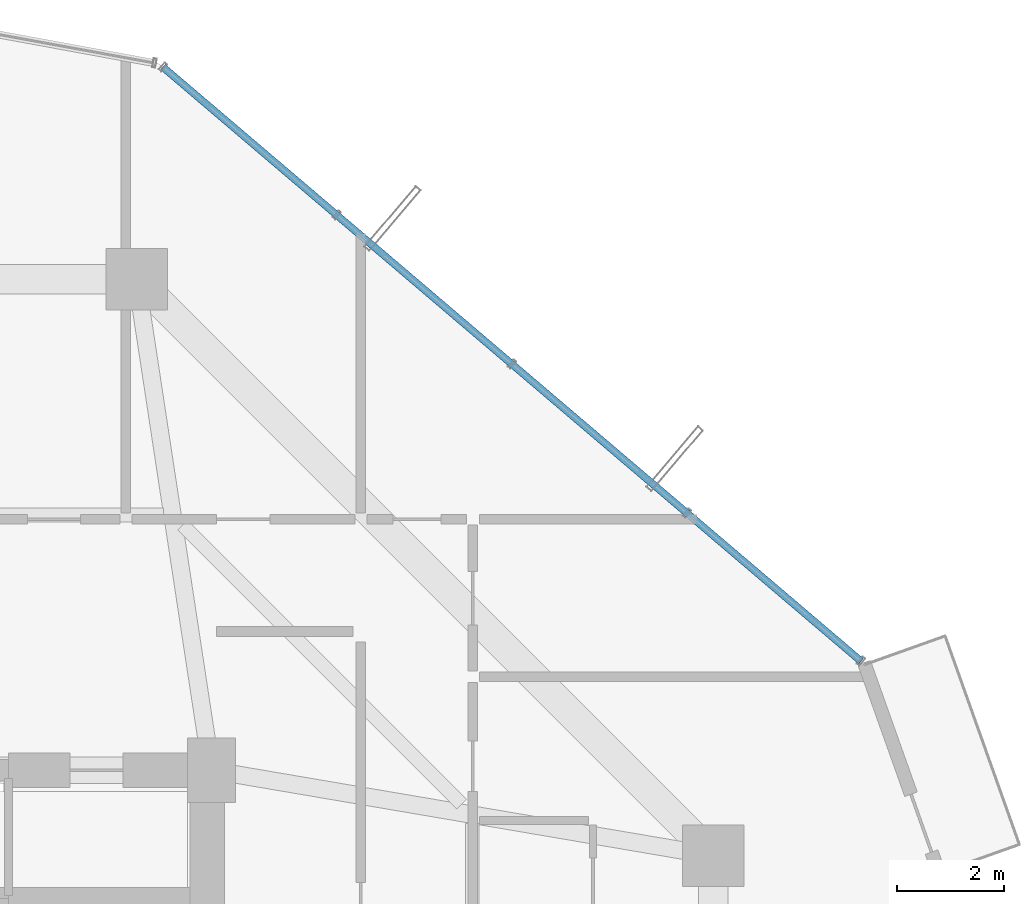
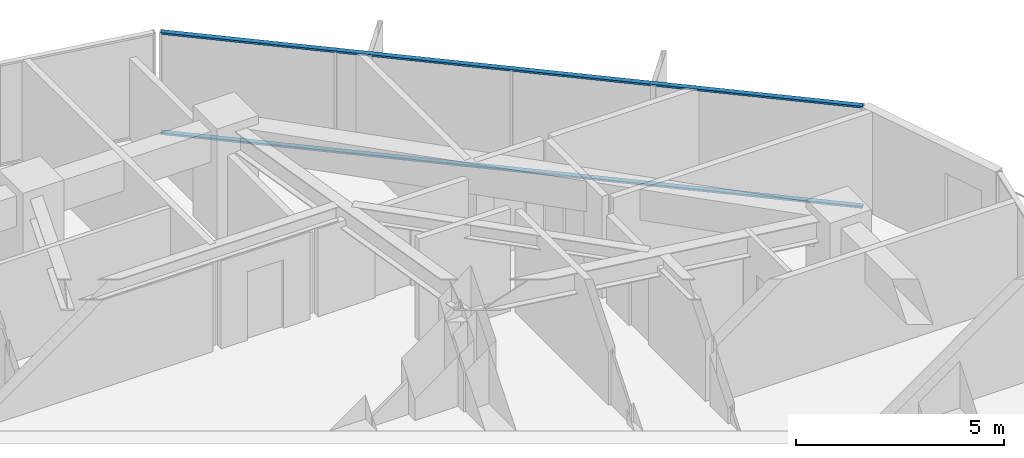
# One storey, part 25 of 33: 2 members, 1 element without a shape of its own.
"""IFC4 building model written with IfcOpenShell, lengths in metres."""

from ifc_helpers import new_model, si_unit, direction, frame, origin, origin_2d, place, context, subcontext, project, spatial, hollow_rectangle, extrude, source, transform, mapped, material, layer, layer_set, material_profile, profile_set, type_object, element, aggregate, save


model = new_model("IFC4")

# Units and contexts
model_context = context("Model", 3, precision=1e-05, world=origin(), true_north=direction((0.0, 1.0)))
body_context = subcontext(model_context, "Body", "Model", "MODEL_VIEW")
ifc_project = project(units=[si_unit("LENGTHUNIT", "METRE"), si_unit("AREAUNIT", "SQUARE_METRE"), si_unit("VOLUMEUNIT", "CUBIC_METRE"), si_unit("PLANEANGLEUNIT", "RADIAN"), si_unit("MASSUNIT", "GRAM", prefix="KILO")], contexts=[model_context])

# Site, building, storey
site_placement = place(None, origin())
site = spatial("IfcSite", under=ifc_project, at=site_placement, CompositionType="ELEMENT")
building_placement = place(site_placement, origin())
building = spatial("IfcBuilding", under=site, at=building_placement, Name="Veraguas Prism Commons", CompositionType="ELEMENT")
storey_placement = place(building_placement, frame((0.0, 0.0, 92.699951171875)))
storey = spatial("IfcBuildingStorey", under=building, at=storey_placement, Name="L25", CompositionType="ELEMENT", Elevation=92.699951171875)

# Curtain wall, members
ifc_material = material(Name="Anodised aluminium EN AW-6063 T6", Category="aluminium")
ifc_layer = layer(ifc_material, 0.169921875, Name="Unitised Flush Curtain Wall Zone 2", Category="aluminium")
ifc_layer_set = layer_set([ifc_layer], Name="Anodised aluminium EN AW-6063 T6")
curtain_wall_type = type_object("IfcCurtainWallType", Name="Unitised Flush Curtain Wall Zone 2", PredefinedType="NOTDEFINED", material=ifc_layer_set)
curtain_wall_placement = place(storey_placement, origin())
curtain_wall = element("IfcCurtainWall", 1, at=curtain_wall_placement, inside=storey, type_object=curtain_wall_type, Name="Tower Facade Curtain Wall L25-F1", PredefinedType="NOTDEFINED")
ifc_material_profile = material_profile(ifc_material, hollow_rectangle(XDim=0.054931640625, YDim=0.135009765625, WallThickness=0.0029296875, at=origin_2d()), Name="AL55X135X3")
ifc_profile_set = profile_set([ifc_material_profile], Name="Anodised aluminium EN AW-6063 T6")
member_type = type_object("IfcMemberType", Name="Curtain Wall Transom Standard AL 55x135x3", PredefinedType="USERDEFINED", material=ifc_profile_set)
shared_shape = source(origin(), body_context, "Body", "SweptSolid", [
    extrude(hollow_rectangle(XDim=0.054931640625, YDim=0.135009765625, WallThickness=0.0029296875, at=origin_2d()), origin(), (0.0, 0.0, 1.0), 17.17431640625),
])
member_1_placement = place(storey_placement, frame((42.97216796875, 33.042724609375, 0.027587890625), z_axis=(-0.761547749441, 0.6481088067, 0.0), x_axis=(0.0, 0.0, 1.0)))
member_1 = element("IfcMember", 2, at=member_1_placement, type_object=member_type, Name="CW-Z2 Transom 1", ObjectType="TRANSOM", PredefinedType="USERDEFINED", context=body_context, shape_type="MappedRepresentation", body=[
    mapped(shared_shape, transform((0.0, 0.0, 0.0), scale=1.0)),
])
member_2_placement = place(storey_placement, frame((42.97216796875, 33.042724609375, 2.97265625), z_axis=(-0.761547749441, 0.6481088067, 0.0), x_axis=(0.0, 0.0, 1.0)))
member_2 = element("IfcMember", 3, at=member_2_placement, type_object=member_type, Name="CW-Z2 Transom 2", ObjectType="TRANSOM", PredefinedType="USERDEFINED", context=body_context, shape_type="MappedRepresentation", body=[
    mapped(shared_shape, transform((0.0, 0.0, 0.0), scale=1.0)),
])
aggregate(curtain_wall, [member_1, member_2])

save(model, "model.ifc")
